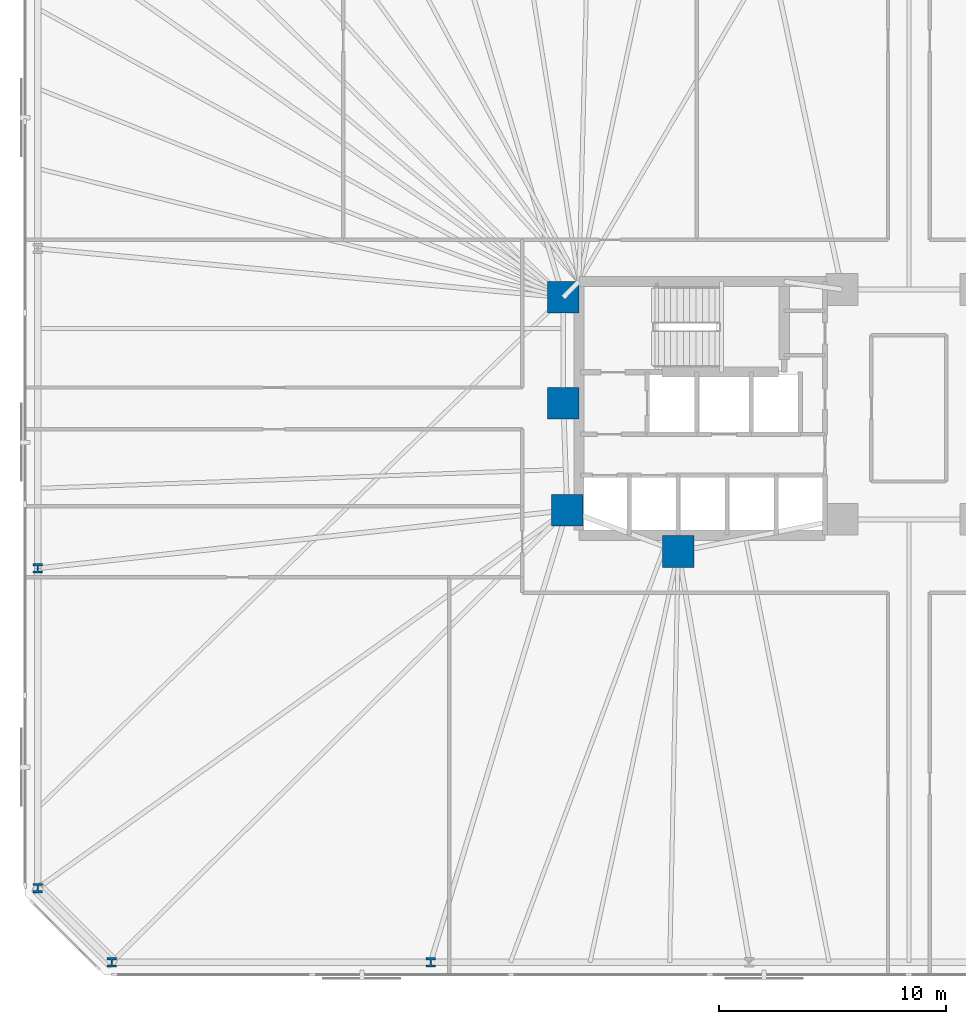
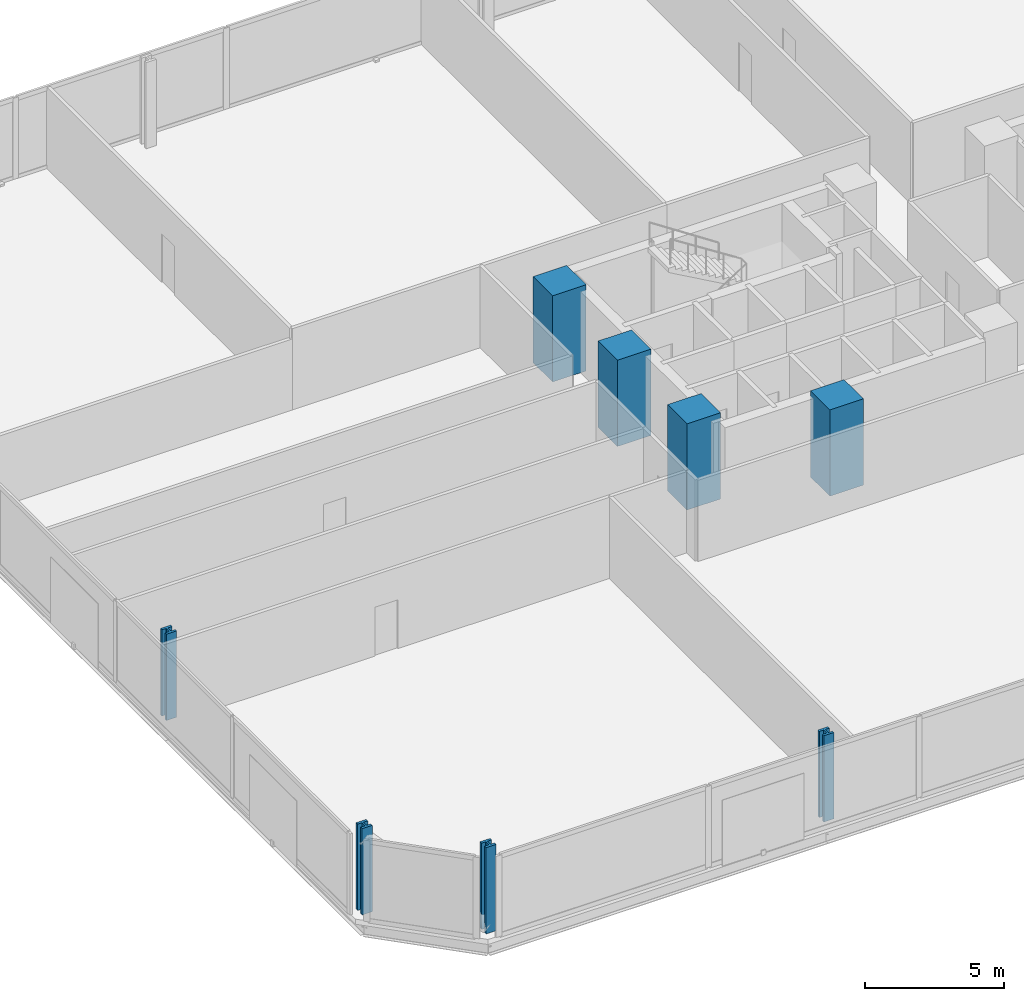
# One storey, part 1 of 17: 8 columns.
"""IFC4 building model written with IfcOpenShell, lengths in metres."""

from ifc_helpers import new_model, si_unit, direction, frame, origin, origin_2d, place, context, subcontext, project, spatial, rectangle, i_section, extrude, material, material_profile, profile_set, type_object, element, save


model = new_model("IFC4")

# Units and contexts
model_context = context("Model", 3, precision=1e-05, world=origin(), true_north=direction((0.0, 1.0)))
body_context = subcontext(model_context, "Body", "Model", "MODEL_VIEW")
ifc_project = project(units=[si_unit("LENGTHUNIT", "METRE"), si_unit("AREAUNIT", "SQUARE_METRE"), si_unit("VOLUMEUNIT", "CUBIC_METRE"), si_unit("PLANEANGLEUNIT", "RADIAN"), si_unit("MASSUNIT", "GRAM", prefix="KILO")], contexts=[model_context])

# Site, building, storey
site_placement = place(None, origin())
site = spatial("IfcSite", under=ifc_project, at=site_placement, CompositionType="ELEMENT")
building_placement = place(site_placement, origin())
building = spatial("IfcBuilding", under=site, at=building_placement, Name="Menara Jurai Vektor", CompositionType="ELEMENT")
storey_placement = place(building_placement, frame((0.0, 0.0, 48.39990234375)))
storey = spatial("IfcBuildingStorey", under=building, at=storey_placement, Name="L11", CompositionType="ELEMENT", Elevation=48.39990234375)

# Columns
ifc_material_1 = material(Name="Concrete C60/75", Category="concrete")
ifc_material_profile_1 = material_profile(ifc_material_1, rectangle(XDim=1.39990234375, YDim=1.39990234375, at=origin_2d()), Name="RC 1400x1400")
ifc_profile_set_1 = profile_set([ifc_material_profile_1], Name="Concrete C60/75")
column_type_1 = type_object("IfcColumnType", Name="STR-COL-RC1400", PredefinedType="COLUMN", material=ifc_profile_set_1)
for number, where, z_axis, x_axis, name in (
    (1, (-15.25, 4.89990234375, 0.0), (0.0, 0.0, 1.0), (1.0, 0.0, 0.0), "Core Spine Column CW-NW L11"),
    (2, (-15.25, 0.219970703125, 0.0), (0.0, 0.0, 1.0), (1.0, 0.0, 0.0), "Core Spine Column CW-WM L11"),
    (3, (-15.080078125, -4.5, 0.0), (0.0, 0.0, 1.0), (1.0, 0.0, 0.0), "Core Spine Column CW-SW L11"),
    (4, (-10.179931640625, -6.320068359375, 0.0), (0.0, 0.0, 1.0), (1.0, 0.0, 0.0), "Core Spine Column CW-SM L11"),
):
    element("IfcColumn", number, at=place(storey_placement, frame(where, z_axis=z_axis, x_axis=x_axis)), inside=storey, type_object=column_type_1, Name=name, PredefinedType="COLUMN", context=body_context, shape_type="SweptSolid", body=[
        extrude(rectangle(XDim=1.39990234375, YDim=1.39990234375, at=origin_2d()), origin(), (0.0, 0.0, 1.0), 3.800048828125),
    ])
ifc_material_2 = material(Name="Steel S460", Category="steel")
ifc_material_profile_2 = material_profile(ifc_material_2, i_section(OverallWidth=0.419921875, OverallDepth=0.430908203125, WebThickness=0.06494140625, FlangeThickness=0.10595703125, FilletRadius=0.014892578125, at=origin_2d()), Name="HD 400x900")
ifc_profile_set_2 = profile_set([ifc_material_profile_2], Name="Steel S460")
column_type_2 = type_object("IfcColumnType", Name="STR-EXO-BLK1", PredefinedType="COLUMN", material=ifc_profile_set_2)
for number, where, z_axis, x_axis, name in (
    (5, (-35.177734375, -24.449951171875, 0.0), (0.0, 0.0, 1.0), (1.0, 0.0, 0.0), "Exoskeleton Column BLK1-S1 L11"),
    (6, (-21.106689453125, -24.449951171875, 0.0), (0.0, 0.0, 1.0), (1.0, 0.0, 0.0), "Exoskeleton Column BLK1-S2 L11"),
    (7, (-38.449951171875, -7.059326171875, 0.0), (0.0, 0.0, 1.0), (1.0, 0.0, 0.0), "Exoskeleton Column BLK1-W3 L11"),
    (8, (-38.449951171875, -21.177734375, 0.0), (0.0, 0.0, 1.0), (1.0, 0.0, 0.0), "Exoskeleton Column BLK1-W4 L11"),
):
    element("IfcColumn", number, at=place(storey_placement, frame(where, z_axis=z_axis, x_axis=x_axis)), inside=storey, type_object=column_type_2, Name=name, PredefinedType="COLUMN", context=body_context, shape_type="SweptSolid", body=[
        extrude(i_section(OverallWidth=0.419921875, OverallDepth=0.430908203125, WebThickness=0.06494140625, FlangeThickness=0.10595703125, FilletRadius=0.014892578125, at=origin_2d()), origin(), (0.0, 0.0, 1.0), 3.800048828125),
    ])

save(model, "model.ifc")
